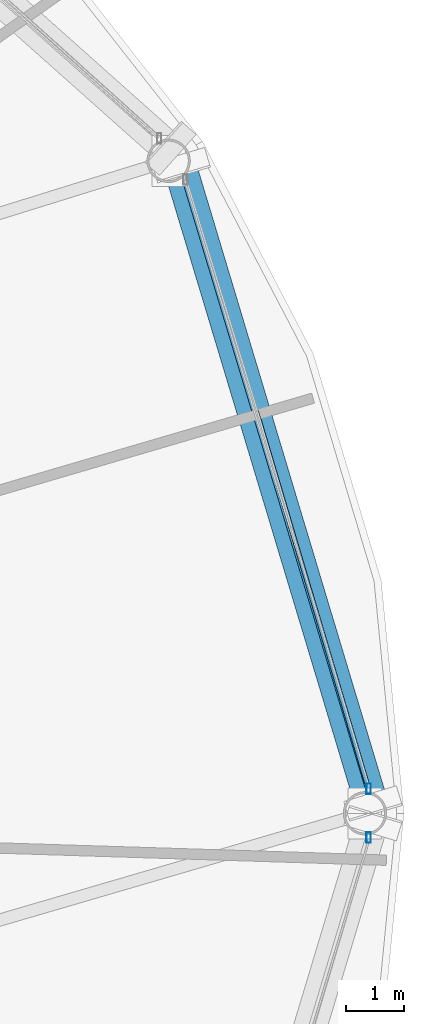
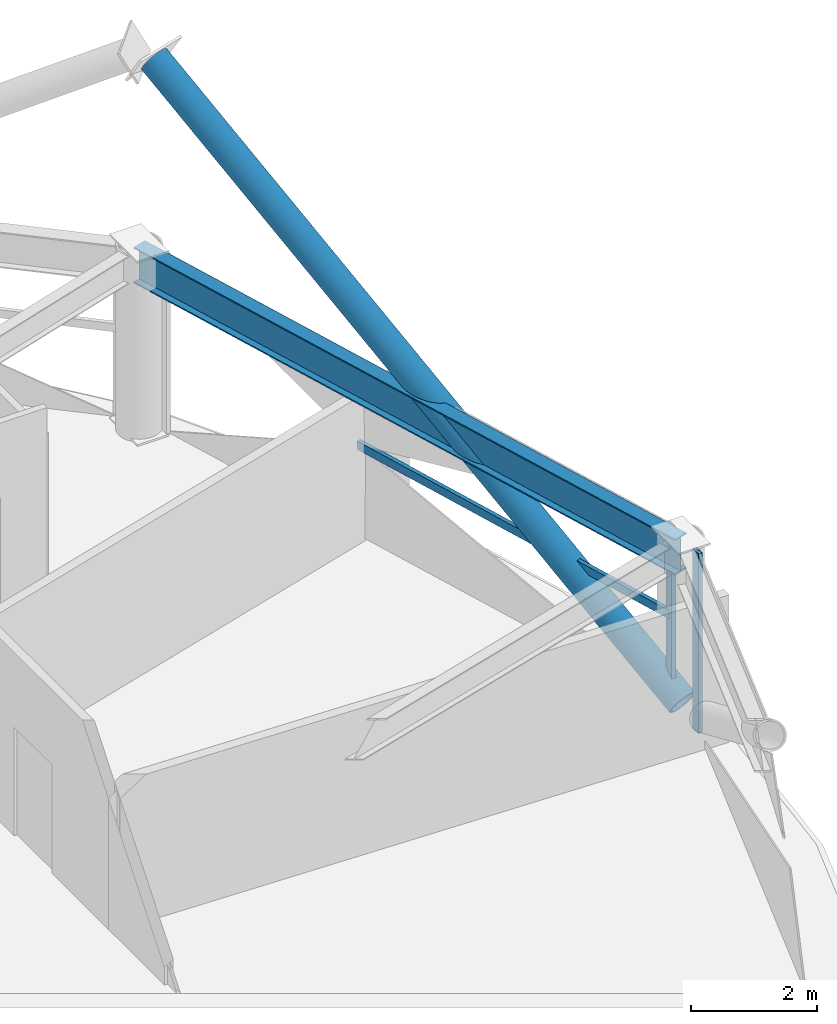
# One storey, part 12 of 30: 4 members, 1 beam, 2 elements without a shape of their own.
"""IFC4 building model written with IfcOpenShell, lengths in metres."""

from ifc_helpers import new_model, si_unit, direction, frame, origin, origin_2d, place, context, subcontext, project, spatial, hollow_rectangle, hollow_circle, i_section, extrude, material, layer, layer_set, material_profile, profile_set, type_object, element, aggregate, save


model = new_model("IFC4")

# Units and contexts
model_context = context("Model", 3, precision=1e-05, world=origin(), true_north=direction((0.0, 1.0)))
body_context = subcontext(model_context, "Body", "Model", "MODEL_VIEW")
ifc_project = project(units=[si_unit("LENGTHUNIT", "METRE"), si_unit("AREAUNIT", "SQUARE_METRE"), si_unit("VOLUMEUNIT", "CUBIC_METRE"), si_unit("PLANEANGLEUNIT", "RADIAN"), si_unit("MASSUNIT", "GRAM", prefix="KILO")], contexts=[model_context])

# Site, building, storey
site_placement = place(None, origin())
site = spatial("IfcSite", under=ifc_project, at=site_placement, CompositionType="ELEMENT")
building_placement = place(site_placement, origin())
building = spatial("IfcBuilding", under=site, at=building_placement, Name="Vantalir Tower", CompositionType="ELEMENT")
storey_placement = place(building_placement, frame((0.0, 0.0, 119.699951171875)))
storey = spatial("IfcBuildingStorey", under=building, at=storey_placement, Name="L29", CompositionType="ELEMENT", Elevation=119.699951171875)

# Beam
ifc_material_1 = material(Name="Steel S460", Category="steel")
ifc_material_profile_1 = material_profile(ifc_material_1, i_section(OverallWidth=0.256103515625, OverallDepth=0.693115234375, WebThickness=0.014404296875, FlangeThickness=0.023681640625, at=origin_2d()), Name="Steel S460")
ifc_profile_set_1 = profile_set([ifc_material_profile_1], Name="Steel S460")
beam_type = type_object("IfcBeamType", Name="BM-RG-686x254", PredefinedType="USERDEFINED", material=ifc_profile_set_1)
beam_placement = place(storey_placement, frame((56.840087890625, 25.0, 3.22314453125), z_axis=(-0.288136680777, 0.957589292542, 0.0), x_axis=(-0.957589292542, -0.288136680777, 0.0)))
element("IfcBeam", 1, at=beam_placement, inside=storey, type_object=beam_type, Name="L29 Circumferential Ring Girder 01", ObjectType="GIRDER", PredefinedType="USERDEFINED", context=body_context, shape_type="SweptSolid", body=[
    extrude(i_section(OverallWidth=0.256103515625, OverallDepth=0.693115234375, WebThickness=0.014404296875, FlangeThickness=0.023681640625, at=origin_2d()), origin(), (0.0, 0.0, 1.0), 11.78271484375),
])

# Curtain wall, member
ifc_material_2 = material(Name="Champagne-silver PVDF aluminium and double-silver Low-E glass", Category="aluminium")
ifc_layer = layer(ifc_material_2, 0.199951171875)
ifc_layer_set = layer_set([ifc_layer], Name="Champagne-silver PVDF aluminium and double-silver Low-E glass")
curtain_wall_type = type_object("IfcCurtainWallType", Name="CW-DIAMOND-Z2", PredefinedType="USERDEFINED", material=ifc_layer_set)
curtain_wall_1_placement = place(storey_placement, origin())
curtain_wall_1 = element("IfcCurtainWall", 2, at=curtain_wall_1_placement, inside=storey, type_object=curtain_wall_type, Name="L29 Quilted Pyramid-Diamond Curtain Wall S01", ObjectType="UNITISED CURTAIN WALL", PredefinedType="USERDEFINED")
ifc_material_3 = material(Name="Champagne-silver PVDF aluminium 6063-T6", Category="aluminium")
ifc_material_profile_2 = material_profile(ifc_material_3, hollow_rectangle(XDim=0.074951171875, YDim=0.179931640625, WallThickness=0.00390625, at=origin_2d()), Name="Champagne-silver PVDF aluminium 6063-T6")
ifc_profile_set_2 = profile_set([ifc_material_profile_2], Name="Champagne-silver PVDF aluminium 6063-T6")
member_type_1 = type_object("IfcMemberType", Name="CWM-180x75", PredefinedType="MULLION", material=ifc_profile_set_2)
member_1_placement = place(storey_placement, frame((56.903076171875, 25.4208984375, 0.045166015625), z_axis=(0.0, 0.0, 1.0), x_axis=(1.0, 0.0, 0.0)))
member_1 = element("IfcMember", 3, at=member_1_placement, type_object=member_type_1, Name="CW-L29-S01 Mullion 1", PredefinedType="MULLION", context=body_context, shape_type="SweptSolid", body=[
    extrude(hollow_rectangle(XDim=0.074951171875, YDim=0.179931640625, WallThickness=0.00390625, at=origin_2d()), origin(), (0.0, 0.0, 1.0), 3.47998046875),
])

curtain_wall_2_placement = place(storey_placement, origin())
curtain_wall_2 = element("IfcCurtainWall", 4, at=curtain_wall_2_placement, inside=storey, type_object=curtain_wall_type, Name="L29 Quilted Pyramid-Diamond Curtain Wall S12", ObjectType="UNITISED CURTAIN WALL", PredefinedType="USERDEFINED")
member_2_placement = place(storey_placement, frame((56.903076171875, 24.5791015625, 0.045166015625), z_axis=(0.0, 0.0, 1.0), x_axis=(1.0, 0.0, 0.0)))
member_2 = element("IfcMember", 5, at=member_2_placement, type_object=member_type_1, Name="CW-L29-S12 Mullion 2", PredefinedType="MULLION", context=body_context, shape_type="SweptSolid", body=[
    extrude(hollow_rectangle(XDim=0.074951171875, YDim=0.179931640625, WallThickness=0.00390625, at=origin_2d()), origin(), (0.0, 0.0, 1.0), 3.47998046875),
])
aggregate(curtain_wall_2, [member_2])

# Member
ifc_material_profile_3 = material_profile(ifc_material_3, hollow_rectangle(XDim=0.074951171875, YDim=0.159912109375, WallThickness=0.00390625, at=origin_2d()), Name="Champagne-silver PVDF aluminium 6063-T6")
ifc_profile_set_3 = profile_set([ifc_material_profile_3], Name="Champagne-silver PVDF aluminium 6063-T6")
member_type_2 = type_object("IfcMemberType", Name="CWT-160x75", PredefinedType="USERDEFINED", material=ifc_profile_set_3)
member_3_placement = place(storey_placement, frame((56.903076171875, 25.4208984375, 1.78515625), z_axis=(-0.284450260756, 0.958690799557, 0.0), x_axis=(-0.958690799557, -0.284450260756, 0.0)))
member_3 = element("IfcMember", 6, at=member_3_placement, type_object=member_type_2, Name="CW-L29-S01 Pyramid Fold Ridge Transom", ObjectType="TRANSOM", PredefinedType="USERDEFINED", context=body_context, shape_type="SweptSolid", body=[
    extrude(hollow_rectangle(XDim=0.074951171875, YDim=0.159912109375, WallThickness=0.00390625, at=origin_2d()), origin(), (0.0, 0.0, 1.0), 6.82080078125),
])

aggregate(curtain_wall_1, [member_1, member_3])

ifc_material_profile_4 = material_profile(ifc_material_1, hollow_circle(Radius=0.260009765625, WallThickness=0.0380859375, at=origin_2d()), Name="Steel S460")
ifc_profile_set_4 = profile_set([ifc_material_profile_4], Name="Steel S460")
member_type_3 = type_object("IfcMemberType", Name="MEM-DB-520x38", PredefinedType="BRACE", material=ifc_profile_set_4)
member_4_placement = place(storey_placement, frame((56.97607421875, 25.179931640625, 0.194091796875), z_axis=(-0.24657648049, 0.820285755899, 0.516072977338), x_axis=(-0.95766844946, -0.287873480731, 0.0)))
element("IfcMember", 7, at=member_4_placement, inside=storey, type_object=member_type_3, Name="L29 Perimeter S460 Diagrid Brace R01L", PredefinedType="BRACE", context=body_context, shape_type="SweptSolid", body=[
    extrude(hollow_circle(Radius=0.260009765625, WallThickness=0.0380859375, at=origin_2d()), origin(), (0.0, 0.0, 1.0), 13.431884765625),
])

save(model, "model.ifc")
